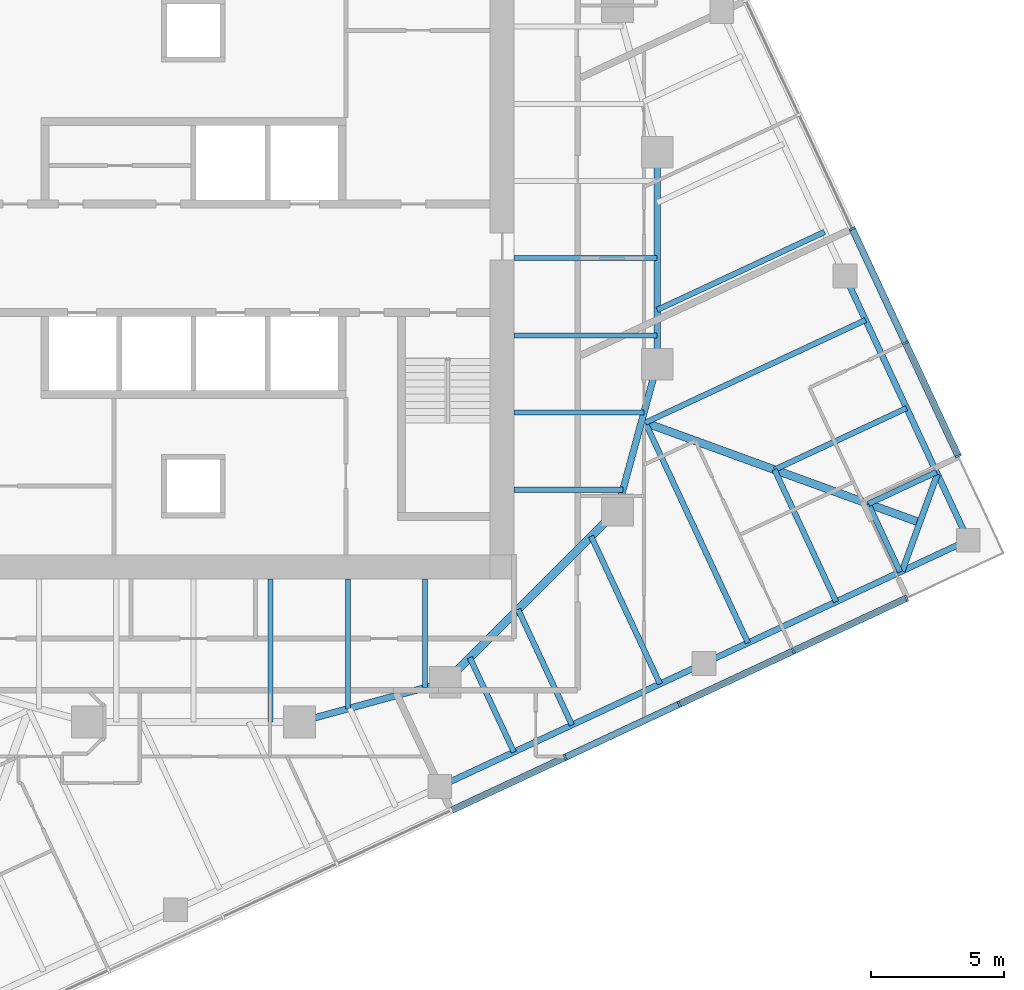
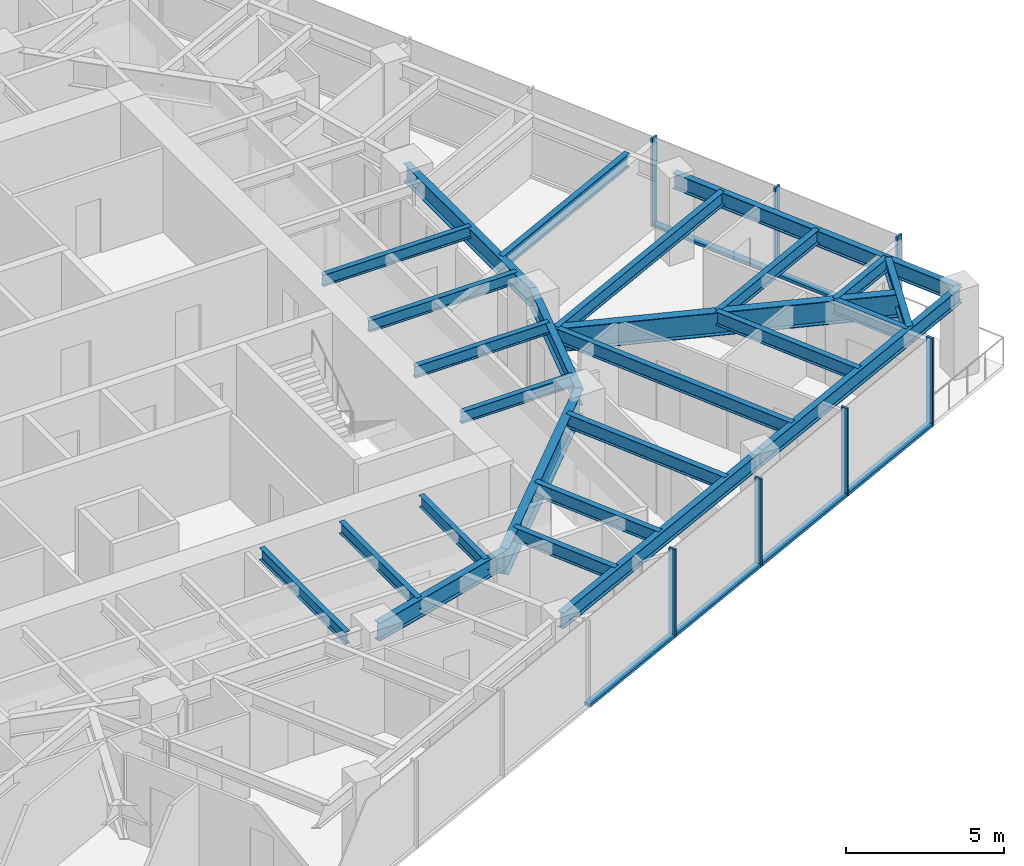
# One storey, part 3 of 13: 26 beams, 13 members, 2 elements without a shape of their own.
"""IFC4 building model written with IfcOpenShell, lengths in metres."""

from ifc_helpers import new_model, si_unit, direction, frame, origin, origin_2d, place, context, subcontext, project, spatial, rectangle, i_section, extrude, material, material_profile, profile_set, type_object, element, aggregate, save


model = new_model("IFC4")

# Units and contexts
model_context = context("Model", 3, precision=1e-05, world=origin(), true_north=direction((0.0, 1.0)))
body_context = subcontext(model_context, "Body", "Model", "MODEL_VIEW")
ifc_project = project(units=[si_unit("LENGTHUNIT", "METRE"), si_unit("AREAUNIT", "SQUARE_METRE"), si_unit("VOLUMEUNIT", "CUBIC_METRE"), si_unit("PLANEANGLEUNIT", "RADIAN"), si_unit("MASSUNIT", "GRAM", prefix="KILO")], contexts=[model_context])

# Site, building, storey
site_placement = place(None, origin())
site = spatial("IfcSite", under=ifc_project, at=site_placement, CompositionType="ELEMENT")
building_placement = place(site_placement, origin())
building = spatial("IfcBuilding", under=site, at=building_placement, Name="Torsade Residences", CompositionType="ELEMENT")
storey_placement = place(building_placement, frame((0.0, 0.0, 179.39990234375)))
storey = spatial("IfcBuildingStorey", under=building, at=storey_placement, Name="L49", CompositionType="ELEMENT", Elevation=179.39990234375)

# Beams
ifc_material_1 = material(Name="Steel grade 300", Category="steel")
ifc_material_profile_1 = material_profile(ifc_material_1, i_section(OverallWidth=0.300048828125, OverallDepth=0.89990234375, WebThickness=0.011962890625, FlangeThickness=0.02490234375, at=origin_2d()), Name="900WB175")
ifc_profile_set_1 = profile_set([ifc_material_profile_1], Name="Steel grade 300")
beam_type_1 = type_object("IfcBeamType", Name="CORNER GIRDER 900WB175", PredefinedType="BEAM", material=ifc_profile_set_1)
beam_1_placement = place(storey_placement, frame((67.4091796875, 20.02392578125, 2.800048828125), z_axis=(-0.93969447651, 0.342015044723, 0.0), x_axis=(-0.342015044723, -0.93969447651, 0.0)))
element("IfcBeam", 1, at=beam_1_placement, inside=storey, type_object=beam_type_1, Name="Corner girder 05 L50", PredefinedType="BEAM", context=body_context, shape_type="SweptSolid", body=[
    extrude(i_section(OverallWidth=0.300048828125, OverallDepth=0.89990234375, WebThickness=0.011962890625, FlangeThickness=0.02490234375, at=origin_2d()), origin(), (0.0, 0.0, 1.0), 11.170654296875),
])
ifc_material_2 = material(Name="Steel grade 300", Category="steel")
ifc_material_profile_2 = material_profile(ifc_material_2, i_section(OverallWidth=0.22802734375, OverallDepth=0.60205078125, WebThickness=0.010498046875, FlangeThickness=0.014892578125, FilletRadius=0.013916015625, at=origin_2d()), Name="610UB101")
ifc_profile_set_2 = profile_set([ifc_material_profile_2], Name="Steel grade 300")
beam_type_2 = type_object("IfcBeamType", Name="CORNER TRIMMER 610UB101", PredefinedType="BEAM", material=ifc_profile_set_2)
beam_2_placement = place(storey_placement, frame((68.07421875, 21.85107421875, 2.94921875), z_axis=(-0.342005152204, -0.939698076972, 0.0), x_axis=(0.939698076972, -0.342005152204, 0.0)))
element("IfcBeam", 2, at=beam_2_placement, inside=storey, type_object=beam_type_2, Name="Corner trimmer 05 L50", PredefinedType="BEAM", context=body_context, shape_type="SweptSolid", body=[
    extrude(i_section(OverallWidth=0.22802734375, OverallDepth=0.60205078125, WebThickness=0.010498046875, FlangeThickness=0.014892578125, FilletRadius=0.013916015625, at=origin_2d()), origin(), (0.0, 0.0, 1.0), 3.88916015625),
])
ifc_material_3 = material(Name="Steel grade 300", Category="steel")
ifc_material_profile_3 = material_profile(ifc_material_3, i_section(OverallWidth=0.22900390625, OverallDepth=0.612060546875, WebThickness=0.011962890625, FlangeThickness=0.01953125, FilletRadius=0.013916015625, at=origin_2d()), Name="610UB125")
ifc_profile_set_3 = profile_set([ifc_material_profile_3], Name="Steel grade 300")
beam_type_3 = type_object("IfcBeamType", Name="EDGE BEAM 610UB125", PredefinedType="SPANDREL", material=ifc_profile_set_3)
for number, where, z_axis, x_axis, name in (
    (3, (49.297607421875, 10.061279296875, 2.944091796875), (0.906313510001, 0.422605988587, 0.0), (-0.422605988587, 0.906313510001, 0.0), "Edge beam 03 L50"),
    (4, (59.26708984375, 14.7099609375, 2.944091796875), (0.90630104482, 0.422632720171, 0.0), (-0.422632720171, 0.90630104482, 0.0), "Edge beam 04 L50"),
):
    element("IfcBeam", number, at=place(storey_placement, frame(where, z_axis=z_axis, x_axis=x_axis)), inside=storey, type_object=beam_type_3, Name=name, PredefinedType="SPANDREL", context=body_context, shape_type="SweptSolid", body=[
        extrude(i_section(OverallWidth=0.22900390625, OverallDepth=0.612060546875, WebThickness=0.011962890625, FlangeThickness=0.01953125, FilletRadius=0.013916015625, at=origin_2d()), origin(), (0.0, 0.0, 1.0), 11.0),
    ])
beam_3_placement = place(storey_placement, frame((69.236328125, 19.35888671875, 2.944091796875), z_axis=(-0.422614489543, 0.906309546032, 0.0), x_axis=(-0.906309546032, -0.422614489543, 0.0)))
element("IfcBeam", 5, at=beam_3_placement, inside=storey, type_object=beam_type_3, Name="Edge beam 05 L50", PredefinedType="SPANDREL", context=body_context, shape_type="SweptSolid", body=[
    extrude(i_section(OverallWidth=0.22900390625, OverallDepth=0.612060546875, WebThickness=0.011962890625, FlangeThickness=0.01953125, FilletRadius=0.013916015625, at=origin_2d()), origin(), (0.0, 0.0, 1.0), 10.999755859375),
])
ifc_material_4 = material(Name="Steel grade 300", Category="steel")
ifc_material_profile_4 = material_profile(ifc_material_4, i_section(OverallWidth=0.18994140625, OverallDepth=0.4541015625, WebThickness=0.008544921875, FlangeThickness=0.0126953125, FilletRadius=0.011474609375, at=origin_2d()), Name="460UB67.1")
ifc_profile_set_4 = profile_set([ifc_material_profile_4], Name="Steel grade 300")
beam_type_4 = type_object("IfcBeamType", Name="INNER FLOOR BEAM 460UB67.1", PredefinedType="JOIST", material=ifc_profile_set_4)
beam_4_placement = place(storey_placement, frame((48.737548828125, 17.89990234375, 3.023193359375), z_axis=(0.0, -1.0, 0.0), x_axis=(1.0, 0.0, 0.0)))
element("IfcBeam", 6, at=beam_4_placement, inside=storey, type_object=beam_type_4, Name="Inner floor beam IS01 L50", PredefinedType="JOIST", context=body_context, shape_type="SweptSolid", body=[
    extrude(i_section(OverallWidth=0.18994140625, OverallDepth=0.4541015625, WebThickness=0.008544921875, FlangeThickness=0.0126953125, FilletRadius=0.011474609375, at=origin_2d()), origin(), (0.0, 0.0, 1.0), 4.10791015625),
])
beam_5_placement = place(storey_placement, frame((45.824951171875, 17.89990234375, 3.023193359375), z_axis=(0.0, -1.0, 0.0), x_axis=(1.0, 0.0, 0.0)))
element("IfcBeam", 7, at=beam_5_placement, inside=storey, type_object=beam_type_4, Name="Inner floor beam IS02 L50", PredefinedType="JOIST", context=body_context, shape_type="SweptSolid", body=[
    extrude(i_section(OverallWidth=0.18994140625, OverallDepth=0.4541015625, WebThickness=0.008544921875, FlangeThickness=0.0126953125, FilletRadius=0.011474609375, at=origin_2d()), origin(), (0.0, 0.0, 1.0), 4.902099609375),
])
beam_6_placement = place(storey_placement, frame((42.91259765625, 17.89990234375, 3.023193359375), z_axis=(0.0, -1.0, 0.0), x_axis=(1.0, 0.0, 0.0)))
element("IfcBeam", 8, at=beam_6_placement, inside=storey, type_object=beam_type_4, Name="Inner floor beam IS03 L50", PredefinedType="JOIST", context=body_context, shape_type="SweptSolid", body=[
    extrude(i_section(OverallWidth=0.18994140625, OverallDepth=0.4541015625, WebThickness=0.008544921875, FlangeThickness=0.0126953125, FilletRadius=0.011474609375, at=origin_2d()), origin(), (0.0, 0.0, 1.0), 5.39990234375),
])
beam_7_placement = place(storey_placement, frame((52.10009765625, 21.262451171875, 3.023193359375), z_axis=(1.0, 0.0, 0.0), x_axis=(0.0, 1.0, 0.0)))
element("IfcBeam", 9, at=beam_7_placement, inside=storey, type_object=beam_type_4, Name="Inner floor beam IE01 L50", PredefinedType="JOIST", context=body_context, shape_type="SweptSolid", body=[
    extrude(i_section(OverallWidth=0.18994140625, OverallDepth=0.4541015625, WebThickness=0.008544921875, FlangeThickness=0.0126953125, FilletRadius=0.011474609375, at=origin_2d()), origin(), (0.0, 0.0, 1.0), 4.10791015625),
])
beam_8_placement = place(storey_placement, frame((52.10009765625, 24.175048828125, 3.023193359375), z_axis=(1.0, 0.0, 0.0), x_axis=(0.0, 1.0, 0.0)))
element("IfcBeam", 10, at=beam_8_placement, inside=storey, type_object=beam_type_4, Name="Inner floor beam IE02 L50", PredefinedType="JOIST", context=body_context, shape_type="SweptSolid", body=[
    extrude(i_section(OverallWidth=0.18994140625, OverallDepth=0.4541015625, WebThickness=0.008544921875, FlangeThickness=0.0126953125, FilletRadius=0.011474609375, at=origin_2d()), origin(), (0.0, 0.0, 1.0), 4.902099609375),
])
for number, where, z_axis, x_axis, name in (
    (11, (52.10009765625, 27.08740234375, 3.023193359375), (1.0, 0.0, 0.0), (0.0, 1.0, 0.0), "Inner floor beam IE03 L50"),
    (12, (52.10009765625, 30.0, 3.023193359375), (1.0, 0.0, 0.0), (0.0, 1.0, 0.0), "Inner floor beam IE04 L50"),
):
    element("IfcBeam", number, at=place(storey_placement, frame(where, z_axis=z_axis, x_axis=x_axis)), inside=storey, type_object=beam_type_4, Name=name, PredefinedType="JOIST", context=body_context, shape_type="SweptSolid", body=[
        extrude(i_section(OverallWidth=0.18994140625, OverallDepth=0.4541015625, WebThickness=0.008544921875, FlangeThickness=0.0126953125, FilletRadius=0.011474609375, at=origin_2d()), origin(), (0.0, 0.0, 1.0), 5.39990234375),
    ])

# Curtain wall, members
ifc_material_5 = material(Name="Aluminium and glass", Category="aluminium")
curtain_wall_type = type_object("IfcCurtainWallType", Name="FRITTED GLASS CURTAIN WALL MID ZONE", PredefinedType="NOTDEFINED", material=ifc_material_5)
curtain_wall_1_placement = place(storey_placement, origin())
curtain_wall_1 = element("IfcCurtainWall", 13, at=curtain_wall_1_placement, inside=storey, type_object=curtain_wall_type, Name="Curtain wall L49 face 1", PredefinedType="NOTDEFINED")
ifc_material_6 = material(Name="Aluminium mullion", Category="aluminium")
ifc_material_profile_5 = material_profile(ifc_material_6, rectangle(XDim=0.25, YDim=0.080078125, at=origin_2d()), Name="MID ZONE CURTAIN WALL MULLION 250x80")
ifc_profile_set_5 = profile_set([ifc_material_profile_5], Name="Aluminium mullion")
member_type_1 = type_object("IfcMemberType", Name="MID ZONE CURTAIN WALL MULLION 250x80", PredefinedType="MULLION", material=ifc_profile_set_5)
member_1_placement = place(storey_placement, frame((54.025146484375, 11.162353515625, 0.0), z_axis=(0.0, 0.0, 1.0), x_axis=(-0.422618261978, 0.906307786926, 0.0)))
member_1 = element("IfcMember", 14, at=member_1_placement, type_object=member_type_1, Name="Mullion 6", PredefinedType="MULLION", context=body_context, shape_type="SweptSolid", body=[
    extrude(rectangle(XDim=0.25, YDim=0.080078125, at=origin_2d()), origin(), (0.0, 0.0, 1.0), 3.400146484375),
])
member_2_placement = place(storey_placement, frame((58.330078125, 13.169677734375, 0.0), z_axis=(0.0, 0.0, 1.0), x_axis=(-0.422618261978, 0.906307786926, 0.0)))
member_2 = element("IfcMember", 15, at=member_2_placement, type_object=member_type_1, Name="Mullion 7", PredefinedType="MULLION", context=body_context, shape_type="SweptSolid", body=[
    extrude(rectangle(XDim=0.25, YDim=0.080078125, at=origin_2d()), origin(), (0.0, 0.0, 1.0), 3.400146484375),
])
member_3_placement = place(storey_placement, frame((62.635009765625, 15.17724609375, 0.0), z_axis=(0.0, 0.0, 1.0), x_axis=(-0.422618261978, 0.906307786926, 0.0)))
member_3 = element("IfcMember", 16, at=member_3_placement, type_object=member_type_1, Name="Mullion 8", PredefinedType="MULLION", context=body_context, shape_type="SweptSolid", body=[
    extrude(rectangle(XDim=0.25, YDim=0.080078125, at=origin_2d()), origin(), (0.0, 0.0, 1.0), 3.400146484375),
])
member_4_placement = place(storey_placement, frame((66.90380859375, 17.167724609375, 0.0), z_axis=(0.0, 0.0, 1.0), x_axis=(-0.422618261978, 0.906307786926, 0.0)))
member_4 = element("IfcMember", 17, at=member_4_placement, type_object=member_type_1, Name="Mullion 9", PredefinedType="MULLION", context=body_context, shape_type="SweptSolid", body=[
    extrude(rectangle(XDim=0.25, YDim=0.080078125, at=origin_2d()), origin(), (0.0, 0.0, 1.0), 3.400146484375),
])

curtain_wall_2_placement = place(storey_placement, origin())
curtain_wall_2 = element("IfcCurtainWall", 18, at=curtain_wall_2_placement, inside=storey, type_object=curtain_wall_type, Name="Curtain wall L49 face 4", PredefinedType="NOTDEFINED")
member_5_placement = place(storey_placement, frame((68.85791015625, 22.53662109375, 0.0), z_axis=(0.0, 0.0, 1.0), x_axis=(-0.906307786926, -0.422618261978, 0.0)))
member_5 = element("IfcMember", 19, at=member_5_placement, type_object=member_type_1, Name="Mullion 1", PredefinedType="MULLION", context=body_context, shape_type="SweptSolid", body=[
    extrude(rectangle(XDim=0.25, YDim=0.080078125, at=origin_2d()), origin(), (0.0, 0.0, 1.0), 3.400146484375),
])
member_6_placement = place(storey_placement, frame((66.867431640625, 26.805419921875, 0.0), z_axis=(0.0, 0.0, 1.0), x_axis=(-0.906307786926, -0.422618261978, 0.0)))
member_6 = element("IfcMember", 20, at=member_6_placement, type_object=member_type_1, Name="Mullion 2", PredefinedType="MULLION", context=body_context, shape_type="SweptSolid", body=[
    extrude(rectangle(XDim=0.25, YDim=0.080078125, at=origin_2d()), origin(), (0.0, 0.0, 1.0), 3.400146484375),
])
member_7_placement = place(storey_placement, frame((64.85986328125, 31.1103515625, 0.0), z_axis=(0.0, 0.0, 1.0), x_axis=(-0.906307786926, -0.422618261978, 0.0)))
member_7 = element("IfcMember", 21, at=member_7_placement, type_object=member_type_1, Name="Mullion 3", PredefinedType="MULLION", context=body_context, shape_type="SweptSolid", body=[
    extrude(rectangle(XDim=0.25, YDim=0.080078125, at=origin_2d()), origin(), (0.0, 0.0, 1.0), 3.400146484375),
])

# Member
ifc_material_7 = material(Name="Aluminium transom", Category="aluminium")
ifc_material_profile_6 = material_profile(ifc_material_7, rectangle(XDim=0.25, YDim=0.110107421875, at=origin_2d()), Name="MID ZONE CURTAIN WALL TRANSOM 250x110")
ifc_profile_set_6 = profile_set([ifc_material_profile_6], Name="Aluminium transom")
member_type_2 = type_object("IfcMemberType", Name="MID ZONE CURTAIN WALL TRANSOM 250x110", PredefinedType="USERDEFINED", material=ifc_profile_set_6)
member_8_placement = place(storey_placement, frame((49.756591796875, 9.171875, 0.05517578125), z_axis=(0.906305976097, 0.422622145291, 0.0), x_axis=(-0.422622145291, 0.906305976097, 0.0)))
member_8 = element("IfcMember", 22, at=member_8_placement, type_object=member_type_2, Name="Transom 5.1", ObjectType="TRANSOM", PredefinedType="USERDEFINED", context=body_context, shape_type="SweptSolid", body=[
    extrude(rectangle(XDim=0.25, YDim=0.110107421875, at=origin_2d()), origin(), (0.0, 0.0, 1.0), 4.669921875),
])

member_9_placement = place(storey_placement, frame((54.0615234375, 11.17919921875, 0.05517578125), z_axis=(0.906305976097, 0.422622145291, 0.0), x_axis=(-0.422622145291, 0.906305976097, 0.0)))
member_9 = element("IfcMember", 23, at=member_9_placement, type_object=member_type_2, Name="Transom 6.1", ObjectType="TRANSOM", PredefinedType="USERDEFINED", context=body_context, shape_type="SweptSolid", body=[
    extrude(rectangle(XDim=0.25, YDim=0.110107421875, at=origin_2d()), origin(), (0.0, 0.0, 1.0), 4.669921875),
])

member_10_placement = place(storey_placement, frame((58.366455078125, 13.186767578125, 0.05517578125), z_axis=(0.906305976097, 0.422622145291, 0.0), x_axis=(-0.422622145291, 0.906305976097, 0.0)))
member_10 = element("IfcMember", 24, at=member_10_placement, type_object=member_type_2, Name="Transom 7.1", ObjectType="TRANSOM", PredefinedType="USERDEFINED", context=body_context, shape_type="SweptSolid", body=[
    extrude(rectangle(XDim=0.25, YDim=0.110107421875, at=origin_2d()), origin(), (0.0, 0.0, 1.0), 4.669921875),
])

member_11_placement = place(storey_placement, frame((62.67138671875, 15.194091796875, 0.05517578125), z_axis=(0.906305687176, 0.422622764878, 0.0), x_axis=(-0.422622764878, 0.906305687176, 0.0)))
member_11 = element("IfcMember", 25, at=member_11_placement, type_object=member_type_2, Name="Transom 8.1", ObjectType="TRANSOM", PredefinedType="USERDEFINED", context=body_context, shape_type="SweptSolid", body=[
    extrude(rectangle(XDim=0.25, YDim=0.110107421875, at=origin_2d()), origin(), (0.0, 0.0, 1.0), 4.630126953125),
])

aggregate(curtain_wall_1, [member_1, member_2, member_3, member_4, member_8, member_9, member_10, member_11])

member_12_placement = place(storey_placement, frame((68.841064453125, 22.572998046875, 0.05517578125), z_axis=(-0.422642962277, 0.906296268578, 0.0), x_axis=(-0.906296268578, -0.422642962277, 0.0)))
member_12 = element("IfcMember", 26, at=member_12_placement, type_object=member_type_2, Name="Transom 1.1", ObjectType="TRANSOM", PredefinedType="USERDEFINED", context=body_context, shape_type="SweptSolid", body=[
    extrude(rectangle(XDim=0.25, YDim=0.110107421875, at=origin_2d()), origin(), (0.0, 0.0, 1.0), 4.6298828125),
])

member_13_placement = place(storey_placement, frame((66.8505859375, 26.841552734375, 0.05517578125), z_axis=(-0.422622145291, 0.906305976097, 0.0), x_axis=(-0.906305976097, -0.422622145291, 0.0)))
member_13 = element("IfcMember", 27, at=member_13_placement, type_object=member_type_2, Name="Transom 2.1", ObjectType="TRANSOM", PredefinedType="USERDEFINED", context=body_context, shape_type="SweptSolid", body=[
    extrude(rectangle(XDim=0.25, YDim=0.110107421875, at=origin_2d()), origin(), (0.0, 0.0, 1.0), 4.669921875),
])

aggregate(curtain_wall_2, [member_5, member_6, member_7, member_12, member_13])

# Beams
ifc_material_8 = material(Name="Steel grade 300", Category="steel")
ifc_material_profile_7 = material_profile(ifc_material_8, i_section(OverallWidth=0.300048828125, OverallDepth=1.0, WebThickness=0.01611328125, FlangeThickness=0.028076171875, at=origin_2d()), Name="1000WB215")
ifc_profile_set_7 = profile_set([ifc_material_profile_7], Name="Steel grade 300")
beam_type_5 = type_object("IfcBeamType", Name="RING CORNER GIRDER 1000WB215", PredefinedType="BEAM", material=ifc_profile_set_7)
beam_9_placement = place(storey_placement, frame((49.5, 14.0, 2.75), z_axis=(0.707106781187, 0.707106781187, 0.0), x_axis=(-0.707106781187, 0.707106781187, 0.0)))
element("IfcBeam", 28, at=beam_9_placement, inside=storey, type_object=beam_type_5, Name="Ring girder IR15 L50", PredefinedType="BEAM", context=body_context, shape_type="SweptSolid", body=[
    extrude(i_section(OverallWidth=0.300048828125, OverallDepth=1.0, WebThickness=0.01611328125, FlangeThickness=0.028076171875, at=origin_2d()), origin(), (0.0, 0.0, 1.0), 9.1923828125),
])
ifc_material_9 = material(Name="Steel grade 300", Category="steel")
ifc_material_profile_8 = material_profile(ifc_material_9, i_section(OverallWidth=0.25, OverallDepth=0.699951171875, WebThickness=0.010009765625, FlangeThickness=0.02001953125, at=origin_2d()), Name="700WB130")
ifc_profile_set_8 = profile_set([ifc_material_profile_8], Name="Steel grade 300")
beam_type_6 = type_object("IfcBeamType", Name="RING GIRDER 700WB130", PredefinedType="BEAM", material=ifc_profile_set_8)
beam_10_placement = place(storey_placement, frame((57.5, 26.0, 2.900146484375), z_axis=(0.0, 1.0, 0.0), x_axis=(-1.0, 0.0, 0.0)))
element("IfcBeam", 29, at=beam_10_placement, inside=storey, type_object=beam_type_6, Name="Ring girder IR01 L50", PredefinedType="BEAM", context=body_context, shape_type="SweptSolid", body=[
    extrude(i_section(OverallWidth=0.25, OverallDepth=0.699951171875, WebThickness=0.010009765625, FlangeThickness=0.02001953125, at=origin_2d()), origin(), (0.0, 0.0, 1.0), 8.0),
])
for number, where, z_axis, x_axis, name in (
    (30, (44.0, 12.5, 2.900146484375), (0.964763821238, 0.263117405792, 0.0), (-0.263117405792, 0.964763821238, 0.0), "Ring girder IR14 L50"),
    (31, (56.0, 20.5, 2.900146484375), (0.263117405792, 0.964763821238, 0.0), (-0.964763821238, 0.263117405792, 0.0), "Ring girder IR16 L50"),
):
    element("IfcBeam", number, at=place(storey_placement, frame(where, z_axis=z_axis, x_axis=x_axis)), inside=storey, type_object=beam_type_6, Name=name, PredefinedType="BEAM", context=body_context, shape_type="SweptSolid", body=[
        extrude(i_section(OverallWidth=0.25, OverallDepth=0.699951171875, WebThickness=0.010009765625, FlangeThickness=0.02001953125, at=origin_2d()), origin(), (0.0, 0.0, 1.0), 5.700927734375),
    ])
ifc_material_10 = material(Name="Steel grade 300", Category="steel")
ifc_material_profile_9 = material_profile(ifc_material_10, i_section(OverallWidth=0.208984375, OverallDepth=0.528076171875, WebThickness=0.009521484375, FlangeThickness=0.01318359375, FilletRadius=0.013916015625, at=origin_2d()), Name="530UB82.0")
ifc_profile_set_9 = profile_set([ifc_material_profile_9], Name="Steel grade 300")
beam_type_7 = type_object("IfcBeamType", Name="SECONDARY BEAM 530UB82.0", PredefinedType="JOIST", material=ifc_profile_set_9)
beam_11_placement = place(storey_placement, frame((52.092041015625, 11.3642578125, 2.986083984375), z_axis=(-0.422644222818, 0.906295680735, 0.0), x_axis=(-0.906295680735, -0.422644222818, 0.0)))
element("IfcBeam", 32, at=beam_11_placement, inside=storey, type_object=beam_type_7, Name="Floor beam FS07 L50", PredefinedType="JOIST", context=body_context, shape_type="SweptSolid", body=[
    extrude(i_section(OverallWidth=0.208984375, OverallDepth=0.528076171875, WebThickness=0.009521484375, FlangeThickness=0.01318359375, FilletRadius=0.013916015625, at=origin_2d()), origin(), (0.0, 0.0, 1.0), 3.933837890625),
])
beam_12_placement = place(storey_placement, frame((54.2822265625, 12.3857421875, 2.986083984375), z_axis=(-0.422618876857, 0.906307500203, 0.0), x_axis=(-0.906307500203, -0.422618876857, 0.0)))
element("IfcBeam", 33, at=beam_12_placement, inside=storey, type_object=beam_type_7, Name="Floor beam FS08 L50", PredefinedType="JOIST", context=body_context, shape_type="SweptSolid", body=[
    extrude(i_section(OverallWidth=0.208984375, OverallDepth=0.528076171875, WebThickness=0.009521484375, FlangeThickness=0.01318359375, FilletRadius=0.013916015625, at=origin_2d()), origin(), (0.0, 0.0, 1.0), 4.813232421875),
])
beam_13_placement = place(storey_placement, frame((57.60546875, 13.935302734375, 2.986083984375), z_axis=(-0.42264848683, 0.906293692233, 0.0), x_axis=(-0.906293692233, -0.42264848683, 0.0)))
element("IfcBeam", 34, at=beam_13_placement, inside=storey, type_object=beam_type_7, Name="Floor beam FS09 L50", PredefinedType="JOIST", context=body_context, shape_type="SweptSolid", body=[
    extrude(i_section(OverallWidth=0.208984375, OverallDepth=0.528076171875, WebThickness=0.009521484375, FlangeThickness=0.01318359375, FilletRadius=0.013916015625, at=origin_2d()), origin(), (0.0, 0.0, 1.0), 6.14794921875),
])
beam_14_placement = place(storey_placement, frame((60.928466796875, 15.48486328125, 2.986083984375), z_axis=(-0.422618627092, 0.90630761667, 0.0), x_axis=(-0.90630761667, -0.422618627092, 0.0)))
element("IfcBeam", 35, at=beam_14_placement, inside=storey, type_object=beam_type_7, Name="Floor beam FS10 L50", PredefinedType="JOIST", context=body_context, shape_type="SweptSolid", body=[
    extrude(i_section(OverallWidth=0.208984375, OverallDepth=0.528076171875, WebThickness=0.009521484375, FlangeThickness=0.01318359375, FilletRadius=0.013916015625, at=origin_2d()), origin(), (0.0, 0.0, 1.0), 9.166748046875),
])
beam_15_placement = place(storey_placement, frame((64.251708984375, 17.034423828125, 2.986083984375), z_axis=(-0.422632720171, 0.90630104482, 0.0), x_axis=(-0.90630104482, -0.422632720171, 0.0)))
element("IfcBeam", 36, at=beam_15_placement, inside=storey, type_object=beam_type_7, Name="Floor beam FS11 L50", PredefinedType="JOIST", context=body_context, shape_type="SweptSolid", body=[
    extrude(i_section(OverallWidth=0.208984375, OverallDepth=0.528076171875, WebThickness=0.009521484375, FlangeThickness=0.01318359375, FilletRadius=0.013916015625, at=origin_2d()), origin(), (0.0, 0.0, 1.0), 5.5),
])
for number, where, z_axis, x_axis, name in (
    (37, (66.66845703125, 18.161376953125, 2.986083984375), (-0.42257409885, 0.906328379221, 0.0), (-0.906328379221, -0.42257409885, 0.0), "Floor beam FS12 L50"),
    (38, (68.0390625, 21.9267578125, 2.986083984375), (-0.906295375613, -0.422644877104, 0.0), (0.422644877104, -0.906295375613, 0.0), "Floor beam FE01 L50"),
):
    element("IfcBeam", number, at=place(storey_placement, frame(where, z_axis=z_axis, x_axis=x_axis)), inside=storey, type_object=beam_type_7, Name=name, PredefinedType="JOIST", context=body_context, shape_type="SweptSolid", body=[
        extrude(i_section(OverallWidth=0.208984375, OverallDepth=0.528076171875, WebThickness=0.009521484375, FlangeThickness=0.01318359375, FilletRadius=0.013916015625, at=origin_2d()), origin(), (0.0, 0.0, 1.0), 2.833251953125),
    ])
beam_16_placement = place(storey_placement, frame((66.911865234375, 24.343505859375, 2.986083984375), z_axis=(-0.90630104482, -0.422632720171, 0.0), x_axis=(0.422632720171, -0.90630104482, 0.0)))
element("IfcBeam", 39, at=beam_16_placement, inside=storey, type_object=beam_type_7, Name="Floor beam FE02 L50", PredefinedType="JOIST", context=body_context, shape_type="SweptSolid", body=[
    extrude(i_section(OverallWidth=0.208984375, OverallDepth=0.528076171875, WebThickness=0.009521484375, FlangeThickness=0.01318359375, FilletRadius=0.013916015625, at=origin_2d()), origin(), (0.0, 0.0, 1.0), 5.5),
])
beam_17_placement = place(storey_placement, frame((65.3623046875, 27.666748046875, 2.986083984375), z_axis=(-0.90630761667, -0.422618627092, 0.0), x_axis=(0.422618627092, -0.90630761667, 0.0)))
element("IfcBeam", 40, at=beam_17_placement, inside=storey, type_object=beam_type_7, Name="Floor beam FE03 L50", PredefinedType="JOIST", context=body_context, shape_type="SweptSolid", body=[
    extrude(i_section(OverallWidth=0.208984375, OverallDepth=0.528076171875, WebThickness=0.009521484375, FlangeThickness=0.01318359375, FilletRadius=0.013916015625, at=origin_2d()), origin(), (0.0, 0.0, 1.0), 9.166748046875),
])
beam_18_placement = place(storey_placement, frame((63.812744140625, 30.98974609375, 2.986083984375), z_axis=(-0.906312044376, -0.422609131726, 0.0), x_axis=(0.422609131726, -0.906312044376, 0.0)))
element("IfcBeam", 41, at=beam_18_placement, inside=storey, type_object=beam_type_7, Name="Floor beam FE04 L50", PredefinedType="JOIST", context=body_context, shape_type="SweptSolid", body=[
    extrude(i_section(OverallWidth=0.208984375, OverallDepth=0.528076171875, WebThickness=0.009521484375, FlangeThickness=0.01318359375, FilletRadius=0.013916015625, at=origin_2d()), origin(), (0.0, 0.0, 1.0), 6.96533203125),
])

save(model, "model.ifc")
